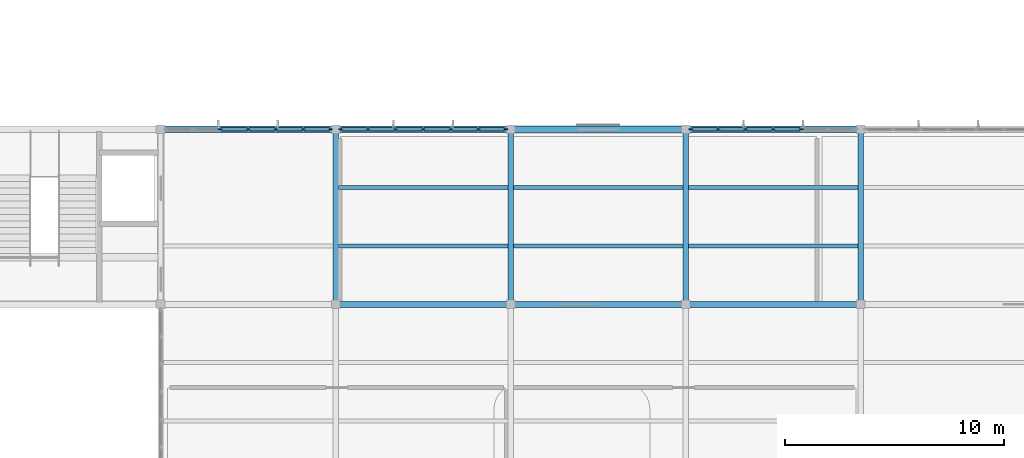
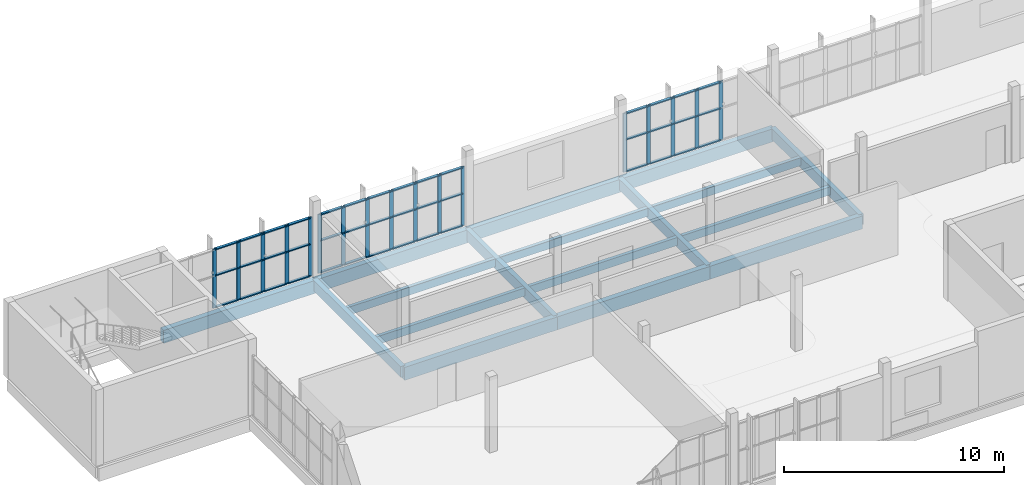
# One storey, part 12 of 45: 59 members, 17 beams, 3 elements without a shape of their own.
"""IFC4 building model written with IfcOpenShell, lengths in metres."""

from ifc_helpers import new_model, si_unit, direction, frame, origin, origin_2d, place, context, subcontext, project, spatial, rectangle, extrude, material, layer, layer_set, material_profile, profile_set, type_object, element, aggregate, save


model = new_model("IFC4")

# Units and contexts
model_context = context("Model", 3, precision=1e-05, world=origin(), true_north=direction((0.0, 1.0)))
body_context = subcontext(model_context, "Body", "Model", "MODEL_VIEW")
ifc_project = project(units=[si_unit("LENGTHUNIT", "METRE"), si_unit("AREAUNIT", "SQUARE_METRE"), si_unit("VOLUMEUNIT", "CUBIC_METRE"), si_unit("PLANEANGLEUNIT", "RADIAN"), si_unit("MASSUNIT", "GRAM", prefix="KILO")], contexts=[model_context])

# Site, building, storey
site_placement = place(None, origin())
site = spatial("IfcSite", under=ifc_project, at=site_placement, CompositionType="ELEMENT")
building_placement = place(site_placement, origin())
building = spatial("IfcBuilding", under=site, at=building_placement, Name="Solvane Community Centre", CompositionType="ELEMENT")
storey_placement = place(building_placement, frame((0.0, 0.0, 13.800048828125)))
storey = spatial("IfcBuildingStorey", under=building, at=storey_placement, Name="L03", CompositionType="ELEMENT", Elevation=13.800048828125)

# Curtain wall, members
ifc_material_1 = material(Name="Anodised bronze aluminium AW-6063 T6", Category="aluminium")
ifc_layer = layer(ifc_material_1, 0.199951171875)
ifc_layer_set = layer_set([ifc_layer], Name="Anodised bronze aluminium AW-6063 T6")
curtain_wall_type = type_object("IfcCurtainWallType", Name="Courtyard Cloister Curtain Wall [76x33dm]", PredefinedType="NOTDEFINED", material=ifc_layer_set)
curtain_wall_1_placement = place(storey_placement, origin())
curtain_wall_1 = element("IfcCurtainWall", 1, at=curtain_wall_1_placement, inside=storey, type_object=curtain_wall_type, Name="Curtain Wall CW-L03-682_300-221", PredefinedType="NOTDEFINED")
ifc_material_profile_1 = material_profile(ifc_material_1, rectangle(XDim=0.06005859375, YDim=0.199951171875, at=origin_2d()), Name="CW-M 60x200")
ifc_profile_set_1 = profile_set([ifc_material_profile_1], Name="Anodised bronze aluminium AW-6063 T6")
member_type_1 = type_object("IfcMemberType", Name="Cloister Mullion 60x200", PredefinedType="MULLION", material=ifc_profile_set_1)
member_1_placement = place(storey_placement, frame((70.73828125, 30.0, 0.0), z_axis=(0.0, 0.0, 1.0), x_axis=(0.0, 1.0, 0.0)))
member_1 = element("IfcMember", 2, at=member_1_placement, type_object=member_type_1, Name="CW03-76x33 mullion 3", PredefinedType="MULLION", context=body_context, shape_type="SweptSolid", body=[
    extrude(rectangle(XDim=0.06005859375, YDim=0.199951171875, at=origin_2d()), origin(), (0.0, 0.0, 1.0), 3.264892578125),
])
member_2_placement = place(storey_placement, frame((72.0, 30.0, 0.0), z_axis=(0.0, 0.0, 1.0), x_axis=(0.0, 1.0, 0.0)))
member_2 = element("IfcMember", 3, at=member_2_placement, type_object=member_type_1, Name="CW03-76x33 mullion 4", PredefinedType="MULLION", context=body_context, shape_type="SweptSolid", body=[
    extrude(rectangle(XDim=0.06005859375, YDim=0.199951171875, at=origin_2d()), origin(), (0.0, 0.0, 1.0), 3.264892578125),
])
member_3_placement = place(storey_placement, frame((73.26171875, 30.0, 0.0), z_axis=(0.0, 0.0, 1.0), x_axis=(0.0, 1.0, 0.0)))
member_3 = element("IfcMember", 4, at=member_3_placement, type_object=member_type_1, Name="CW03-76x33 mullion 5", PredefinedType="MULLION", context=body_context, shape_type="SweptSolid", body=[
    extrude(rectangle(XDim=0.06005859375, YDim=0.199951171875, at=origin_2d()), origin(), (0.0, 0.0, 1.0), 3.264892578125),
])
member_4_placement = place(storey_placement, frame((74.5234375, 30.0, 0.0), z_axis=(0.0, 0.0, 1.0), x_axis=(0.0, 1.0, 0.0)))
member_4 = element("IfcMember", 5, at=member_4_placement, type_object=member_type_1, Name="CW03-76x33 mullion 6", PredefinedType="MULLION", context=body_context, shape_type="SweptSolid", body=[
    extrude(rectangle(XDim=0.06005859375, YDim=0.199951171875, at=origin_2d()), origin(), (0.0, 0.0, 1.0), 3.264892578125),
])
member_5_placement = place(storey_placement, frame((75.7548828125, 30.0, 0.0), z_axis=(0.0, 0.0, 1.0), x_axis=(0.0, 1.0, 0.0)))
member_5 = element("IfcMember", 6, at=member_5_placement, type_object=member_type_1, Name="CW03-76x33 mullion 7", PredefinedType="MULLION", context=body_context, shape_type="SweptSolid", body=[
    extrude(rectangle(XDim=0.06005859375, YDim=0.199951171875, at=origin_2d()), origin(), (0.0, 0.0, 1.0), 3.264892578125),
])

curtain_wall_2_placement = place(storey_placement, origin())
curtain_wall_2 = element("IfcCurtainWall", 7, at=curtain_wall_2_placement, inside=storey, type_object=curtain_wall_type, Name="Curtain Wall CW-L03-762_300-222", PredefinedType="NOTDEFINED")
member_6_placement = place(storey_placement, frame((76.2451171875, 30.0, 0.0), z_axis=(0.0, 0.0, 1.0), x_axis=(0.0, 1.0, 0.0)))
member_6 = element("IfcMember", 8, at=member_6_placement, type_object=member_type_1, Name="CW03-76x33 mullion 1", PredefinedType="MULLION", context=body_context, shape_type="SweptSolid", body=[
    extrude(rectangle(XDim=0.06005859375, YDim=0.199951171875, at=origin_2d()), origin(), (0.0, 0.0, 1.0), 3.264892578125),
])
member_7_placement = place(storey_placement, frame((77.4765625, 30.0, 0.0), z_axis=(0.0, 0.0, 1.0), x_axis=(0.0, 1.0, 0.0)))
member_7 = element("IfcMember", 9, at=member_7_placement, type_object=member_type_1, Name="CW03-76x33 mullion 2", PredefinedType="MULLION", context=body_context, shape_type="SweptSolid", body=[
    extrude(rectangle(XDim=0.06005859375, YDim=0.199951171875, at=origin_2d()), origin(), (0.0, 0.0, 1.0), 3.264892578125),
])
member_8_placement = place(storey_placement, frame((78.73828125, 30.0, 0.0), z_axis=(0.0, 0.0, 1.0), x_axis=(0.0, 1.0, 0.0)))
member_8 = element("IfcMember", 10, at=member_8_placement, type_object=member_type_1, Name="CW03-76x33 mullion 3", PredefinedType="MULLION", context=body_context, shape_type="SweptSolid", body=[
    extrude(rectangle(XDim=0.06005859375, YDim=0.199951171875, at=origin_2d()), origin(), (0.0, 0.0, 1.0), 3.264892578125),
])
member_9_placement = place(storey_placement, frame((80.0, 30.0, 0.0), z_axis=(0.0, 0.0, 1.0), x_axis=(0.0, 1.0, 0.0)))
member_9 = element("IfcMember", 11, at=member_9_placement, type_object=member_type_1, Name="CW03-76x33 mullion 4", PredefinedType="MULLION", context=body_context, shape_type="SweptSolid", body=[
    extrude(rectangle(XDim=0.06005859375, YDim=0.199951171875, at=origin_2d()), origin(), (0.0, 0.0, 1.0), 3.264892578125),
])
member_10_placement = place(storey_placement, frame((81.26171875, 30.0, 0.0), z_axis=(0.0, 0.0, 1.0), x_axis=(0.0, 1.0, 0.0)))
member_10 = element("IfcMember", 12, at=member_10_placement, type_object=member_type_1, Name="CW03-76x33 mullion 5", PredefinedType="MULLION", context=body_context, shape_type="SweptSolid", body=[
    extrude(rectangle(XDim=0.06005859375, YDim=0.199951171875, at=origin_2d()), origin(), (0.0, 0.0, 1.0), 3.264892578125),
])
member_11_placement = place(storey_placement, frame((82.5234375, 30.0, 0.0), z_axis=(0.0, 0.0, 1.0), x_axis=(0.0, 1.0, 0.0)))
member_11 = element("IfcMember", 13, at=member_11_placement, type_object=member_type_1, Name="CW03-76x33 mullion 6", PredefinedType="MULLION", context=body_context, shape_type="SweptSolid", body=[
    extrude(rectangle(XDim=0.06005859375, YDim=0.199951171875, at=origin_2d()), origin(), (0.0, 0.0, 1.0), 3.264892578125),
])
member_12_placement = place(storey_placement, frame((83.7548828125, 30.0, 0.0), z_axis=(0.0, 0.0, 1.0), x_axis=(0.0, 1.0, 0.0)))
member_12 = element("IfcMember", 14, at=member_12_placement, type_object=member_type_1, Name="CW03-76x33 mullion 7", PredefinedType="MULLION", context=body_context, shape_type="SweptSolid", body=[
    extrude(rectangle(XDim=0.06005859375, YDim=0.199951171875, at=origin_2d()), origin(), (0.0, 0.0, 1.0), 3.264892578125),
])

curtain_wall_3_placement = place(storey_placement, origin())
curtain_wall_3 = element("IfcCurtainWall", 15, at=curtain_wall_3_placement, inside=storey, type_object=curtain_wall_type, Name="Curtain Wall CW-L03-922_300-223", PredefinedType="NOTDEFINED")
member_13_placement = place(storey_placement, frame((92.2451171875, 30.0, 0.0), z_axis=(0.0, 0.0, 1.0), x_axis=(0.0, 1.0, 0.0)))
member_13 = element("IfcMember", 16, at=member_13_placement, type_object=member_type_1, Name="CW03-76x33 mullion 1", PredefinedType="MULLION", context=body_context, shape_type="SweptSolid", body=[
    extrude(rectangle(XDim=0.06005859375, YDim=0.199951171875, at=origin_2d()), origin(), (0.0, 0.0, 1.0), 3.264892578125),
])
member_14_placement = place(storey_placement, frame((93.4765625, 30.0, 0.0), z_axis=(0.0, 0.0, 1.0), x_axis=(0.0, 1.0, 0.0)))
member_14 = element("IfcMember", 17, at=member_14_placement, type_object=member_type_1, Name="CW03-76x33 mullion 2", PredefinedType="MULLION", context=body_context, shape_type="SweptSolid", body=[
    extrude(rectangle(XDim=0.06005859375, YDim=0.199951171875, at=origin_2d()), origin(), (0.0, 0.0, 1.0), 3.264892578125),
])
member_15_placement = place(storey_placement, frame((94.73828125, 30.0, 0.0), z_axis=(0.0, 0.0, 1.0), x_axis=(0.0, 1.0, 0.0)))
member_15 = element("IfcMember", 18, at=member_15_placement, type_object=member_type_1, Name="CW03-76x33 mullion 3", PredefinedType="MULLION", context=body_context, shape_type="SweptSolid", body=[
    extrude(rectangle(XDim=0.06005859375, YDim=0.199951171875, at=origin_2d()), origin(), (0.0, 0.0, 1.0), 3.264892578125),
])
member_16_placement = place(storey_placement, frame((96.0, 30.0, 0.0), z_axis=(0.0, 0.0, 1.0), x_axis=(0.0, 1.0, 0.0)))
member_16 = element("IfcMember", 19, at=member_16_placement, type_object=member_type_1, Name="CW03-76x33 mullion 4", PredefinedType="MULLION", context=body_context, shape_type="SweptSolid", body=[
    extrude(rectangle(XDim=0.06005859375, YDim=0.199951171875, at=origin_2d()), origin(), (0.0, 0.0, 1.0), 3.264892578125),
])
member_17_placement = place(storey_placement, frame((97.26171875, 30.0, 0.0), z_axis=(0.0, 0.0, 1.0), x_axis=(0.0, 1.0, 0.0)))
member_17 = element("IfcMember", 20, at=member_17_placement, type_object=member_type_1, Name="CW03-76x33 mullion 5", PredefinedType="MULLION", context=body_context, shape_type="SweptSolid", body=[
    extrude(rectangle(XDim=0.06005859375, YDim=0.199951171875, at=origin_2d()), origin(), (0.0, 0.0, 1.0), 3.264892578125),
])

# Member
ifc_material_profile_2 = material_profile(ifc_material_1, rectangle(XDim=0.139892578125, YDim=0.06005859375, at=origin_2d()), Name="CW-T 60x140")
ifc_profile_set_2 = profile_set([ifc_material_profile_2], Name="Anodised bronze aluminium AW-6063 T6")
member_type_2 = type_object("IfcMemberType", Name="Cloister Transom 60x140", PredefinedType="USERDEFINED", material=ifc_profile_set_2)
member_18_placement = place(storey_placement, frame((70.768310546875, 30.0, 0.030029296875), z_axis=(1.0, 0.0, 0.0), x_axis=(0.0, 1.0, 0.0)))
member_18 = element("IfcMember", 21, at=member_18_placement, type_object=member_type_2, Name="CW03-76x33 transom 3.1", ObjectType="TRANSOM", PredefinedType="USERDEFINED", context=body_context, shape_type="SweptSolid", body=[
    extrude(rectangle(XDim=0.139892578125, YDim=0.06005859375, at=origin_2d()), origin(), (0.0, 0.0, 1.0), 1.20166015625),
])

member_19_placement = place(storey_placement, frame((70.768310546875, 30.0, 1.7958984375), z_axis=(1.0, 0.0, 0.0), x_axis=(0.0, 1.0, 0.0)))
member_19 = element("IfcMember", 22, at=member_19_placement, type_object=member_type_2, Name="CW03-76x33 transom 3.2", ObjectType="TRANSOM", PredefinedType="USERDEFINED", context=body_context, shape_type="SweptSolid", body=[
    extrude(rectangle(XDim=0.139892578125, YDim=0.06005859375, at=origin_2d()), origin(), (0.0, 0.0, 1.0), 1.20166015625),
])

member_20_placement = place(storey_placement, frame((70.768310546875, 30.0, 3.23486328125), z_axis=(1.0, 0.0, 0.0), x_axis=(0.0, 1.0, 0.0)))
member_20 = element("IfcMember", 23, at=member_20_placement, type_object=member_type_2, Name="CW03-76x33 transom 3.3", ObjectType="TRANSOM", PredefinedType="USERDEFINED", context=body_context, shape_type="SweptSolid", body=[
    extrude(rectangle(XDim=0.139892578125, YDim=0.06005859375, at=origin_2d()), origin(), (0.0, 0.0, 1.0), 1.20166015625),
])

member_21_placement = place(storey_placement, frame((72.030029296875, 30.0, 0.030029296875), z_axis=(1.0, 0.0, 0.0), x_axis=(0.0, 1.0, 0.0)))
member_21 = element("IfcMember", 24, at=member_21_placement, type_object=member_type_2, Name="CW03-76x33 transom 4.1", ObjectType="TRANSOM", PredefinedType="USERDEFINED", context=body_context, shape_type="SweptSolid", body=[
    extrude(rectangle(XDim=0.139892578125, YDim=0.06005859375, at=origin_2d()), origin(), (0.0, 0.0, 1.0), 1.20166015625),
])

member_22_placement = place(storey_placement, frame((72.030029296875, 30.0, 1.7958984375), z_axis=(1.0, 0.0, 0.0), x_axis=(0.0, 1.0, 0.0)))
member_22 = element("IfcMember", 25, at=member_22_placement, type_object=member_type_2, Name="CW03-76x33 transom 4.2", ObjectType="TRANSOM", PredefinedType="USERDEFINED", context=body_context, shape_type="SweptSolid", body=[
    extrude(rectangle(XDim=0.139892578125, YDim=0.06005859375, at=origin_2d()), origin(), (0.0, 0.0, 1.0), 1.20166015625),
])

member_23_placement = place(storey_placement, frame((72.030029296875, 30.0, 3.23486328125), z_axis=(1.0, 0.0, 0.0), x_axis=(0.0, 1.0, 0.0)))
member_23 = element("IfcMember", 26, at=member_23_placement, type_object=member_type_2, Name="CW03-76x33 transom 4.3", ObjectType="TRANSOM", PredefinedType="USERDEFINED", context=body_context, shape_type="SweptSolid", body=[
    extrude(rectangle(XDim=0.139892578125, YDim=0.06005859375, at=origin_2d()), origin(), (0.0, 0.0, 1.0), 1.20166015625),
])

member_24_placement = place(storey_placement, frame((73.291748046875, 30.0, 0.030029296875), z_axis=(1.0, 0.0, 0.0), x_axis=(0.0, 1.0, 0.0)))
member_24 = element("IfcMember", 27, at=member_24_placement, type_object=member_type_2, Name="CW03-76x33 transom 5.1", ObjectType="TRANSOM", PredefinedType="USERDEFINED", context=body_context, shape_type="SweptSolid", body=[
    extrude(rectangle(XDim=0.139892578125, YDim=0.06005859375, at=origin_2d()), origin(), (0.0, 0.0, 1.0), 1.20166015625),
])

member_25_placement = place(storey_placement, frame((73.291748046875, 30.0, 1.7958984375), z_axis=(1.0, 0.0, 0.0), x_axis=(0.0, 1.0, 0.0)))
member_25 = element("IfcMember", 28, at=member_25_placement, type_object=member_type_2, Name="CW03-76x33 transom 5.2", ObjectType="TRANSOM", PredefinedType="USERDEFINED", context=body_context, shape_type="SweptSolid", body=[
    extrude(rectangle(XDim=0.139892578125, YDim=0.06005859375, at=origin_2d()), origin(), (0.0, 0.0, 1.0), 1.20166015625),
])

member_26_placement = place(storey_placement, frame((73.291748046875, 30.0, 3.23486328125), z_axis=(1.0, 0.0, 0.0), x_axis=(0.0, 1.0, 0.0)))
member_26 = element("IfcMember", 29, at=member_26_placement, type_object=member_type_2, Name="CW03-76x33 transom 5.3", ObjectType="TRANSOM", PredefinedType="USERDEFINED", context=body_context, shape_type="SweptSolid", body=[
    extrude(rectangle(XDim=0.139892578125, YDim=0.06005859375, at=origin_2d()), origin(), (0.0, 0.0, 1.0), 1.20166015625),
])

member_27_placement = place(storey_placement, frame((74.55322265625, 30.0, 0.030029296875), z_axis=(1.0, 0.0, 0.0), x_axis=(0.0, 1.0, 0.0)))
member_27 = element("IfcMember", 30, at=member_27_placement, type_object=member_type_2, Name="CW03-76x33 transom 6.1", ObjectType="TRANSOM", PredefinedType="USERDEFINED", context=body_context, shape_type="SweptSolid", body=[
    extrude(rectangle(XDim=0.139892578125, YDim=0.06005859375, at=origin_2d()), origin(), (0.0, 0.0, 1.0), 1.171875),
])

member_28_placement = place(storey_placement, frame((74.55322265625, 30.0, 1.7958984375), z_axis=(1.0, 0.0, 0.0), x_axis=(0.0, 1.0, 0.0)))
member_28 = element("IfcMember", 31, at=member_28_placement, type_object=member_type_2, Name="CW03-76x33 transom 6.2", ObjectType="TRANSOM", PredefinedType="USERDEFINED", context=body_context, shape_type="SweptSolid", body=[
    extrude(rectangle(XDim=0.139892578125, YDim=0.06005859375, at=origin_2d()), origin(), (0.0, 0.0, 1.0), 1.171875),
])

member_29_placement = place(storey_placement, frame((74.55322265625, 30.0, 3.23486328125), z_axis=(1.0, 0.0, 0.0), x_axis=(0.0, 1.0, 0.0)))
member_29 = element("IfcMember", 32, at=member_29_placement, type_object=member_type_2, Name="CW03-76x33 transom 6.3", ObjectType="TRANSOM", PredefinedType="USERDEFINED", context=body_context, shape_type="SweptSolid", body=[
    extrude(rectangle(XDim=0.139892578125, YDim=0.06005859375, at=origin_2d()), origin(), (0.0, 0.0, 1.0), 1.171875),
])

aggregate(curtain_wall_1, [member_1, member_2, member_3, member_4, member_5, member_18, member_19, member_20, member_21, member_22, member_23, member_24, member_25, member_26, member_27, member_28, member_29])

member_30_placement = place(storey_placement, frame((76.27490234375, 30.0, 0.030029296875), z_axis=(1.0, 0.0, 0.0), x_axis=(0.0, 1.0, 0.0)))
member_30 = element("IfcMember", 33, at=member_30_placement, type_object=member_type_2, Name="CW03-76x33 transom 1.1", ObjectType="TRANSOM", PredefinedType="USERDEFINED", context=body_context, shape_type="SweptSolid", body=[
    extrude(rectangle(XDim=0.139892578125, YDim=0.06005859375, at=origin_2d()), origin(), (0.0, 0.0, 1.0), 1.171875),
])

member_31_placement = place(storey_placement, frame((76.27490234375, 30.0, 1.7958984375), z_axis=(1.0, 0.0, 0.0), x_axis=(0.0, 1.0, 0.0)))
member_31 = element("IfcMember", 34, at=member_31_placement, type_object=member_type_2, Name="CW03-76x33 transom 1.2", ObjectType="TRANSOM", PredefinedType="USERDEFINED", context=body_context, shape_type="SweptSolid", body=[
    extrude(rectangle(XDim=0.139892578125, YDim=0.06005859375, at=origin_2d()), origin(), (0.0, 0.0, 1.0), 1.171875),
])

member_32_placement = place(storey_placement, frame((76.27490234375, 30.0, 3.23486328125), z_axis=(1.0, 0.0, 0.0), x_axis=(0.0, 1.0, 0.0)))
member_32 = element("IfcMember", 35, at=member_32_placement, type_object=member_type_2, Name="CW03-76x33 transom 1.3", ObjectType="TRANSOM", PredefinedType="USERDEFINED", context=body_context, shape_type="SweptSolid", body=[
    extrude(rectangle(XDim=0.139892578125, YDim=0.06005859375, at=origin_2d()), origin(), (0.0, 0.0, 1.0), 1.171875),
])

member_33_placement = place(storey_placement, frame((77.506591796875, 30.0, 0.030029296875), z_axis=(1.0, 0.0, 0.0), x_axis=(0.0, 1.0, 0.0)))
member_33 = element("IfcMember", 36, at=member_33_placement, type_object=member_type_2, Name="CW03-76x33 transom 2.1", ObjectType="TRANSOM", PredefinedType="USERDEFINED", context=body_context, shape_type="SweptSolid", body=[
    extrude(rectangle(XDim=0.139892578125, YDim=0.06005859375, at=origin_2d()), origin(), (0.0, 0.0, 1.0), 1.20166015625),
])

member_34_placement = place(storey_placement, frame((77.506591796875, 30.0, 1.7958984375), z_axis=(1.0, 0.0, 0.0), x_axis=(0.0, 1.0, 0.0)))
member_34 = element("IfcMember", 37, at=member_34_placement, type_object=member_type_2, Name="CW03-76x33 transom 2.2", ObjectType="TRANSOM", PredefinedType="USERDEFINED", context=body_context, shape_type="SweptSolid", body=[
    extrude(rectangle(XDim=0.139892578125, YDim=0.06005859375, at=origin_2d()), origin(), (0.0, 0.0, 1.0), 1.20166015625),
])

member_35_placement = place(storey_placement, frame((77.506591796875, 30.0, 3.23486328125), z_axis=(1.0, 0.0, 0.0), x_axis=(0.0, 1.0, 0.0)))
member_35 = element("IfcMember", 38, at=member_35_placement, type_object=member_type_2, Name="CW03-76x33 transom 2.3", ObjectType="TRANSOM", PredefinedType="USERDEFINED", context=body_context, shape_type="SweptSolid", body=[
    extrude(rectangle(XDim=0.139892578125, YDim=0.06005859375, at=origin_2d()), origin(), (0.0, 0.0, 1.0), 1.20166015625),
])

member_36_placement = place(storey_placement, frame((78.768310546875, 30.0, 0.030029296875), z_axis=(1.0, 0.0, 0.0), x_axis=(0.0, 1.0, 0.0)))
member_36 = element("IfcMember", 39, at=member_36_placement, type_object=member_type_2, Name="CW03-76x33 transom 3.1", ObjectType="TRANSOM", PredefinedType="USERDEFINED", context=body_context, shape_type="SweptSolid", body=[
    extrude(rectangle(XDim=0.139892578125, YDim=0.06005859375, at=origin_2d()), origin(), (0.0, 0.0, 1.0), 1.20166015625),
])

member_37_placement = place(storey_placement, frame((78.768310546875, 30.0, 1.7958984375), z_axis=(1.0, 0.0, 0.0), x_axis=(0.0, 1.0, 0.0)))
member_37 = element("IfcMember", 40, at=member_37_placement, type_object=member_type_2, Name="CW03-76x33 transom 3.2", ObjectType="TRANSOM", PredefinedType="USERDEFINED", context=body_context, shape_type="SweptSolid", body=[
    extrude(rectangle(XDim=0.139892578125, YDim=0.06005859375, at=origin_2d()), origin(), (0.0, 0.0, 1.0), 1.20166015625),
])

member_38_placement = place(storey_placement, frame((78.768310546875, 30.0, 3.23486328125), z_axis=(1.0, 0.0, 0.0), x_axis=(0.0, 1.0, 0.0)))
member_38 = element("IfcMember", 41, at=member_38_placement, type_object=member_type_2, Name="CW03-76x33 transom 3.3", ObjectType="TRANSOM", PredefinedType="USERDEFINED", context=body_context, shape_type="SweptSolid", body=[
    extrude(rectangle(XDim=0.139892578125, YDim=0.06005859375, at=origin_2d()), origin(), (0.0, 0.0, 1.0), 1.20166015625),
])

member_39_placement = place(storey_placement, frame((80.030029296875, 30.0, 0.030029296875), z_axis=(1.0, 0.0, 0.0), x_axis=(0.0, 1.0, 0.0)))
member_39 = element("IfcMember", 42, at=member_39_placement, type_object=member_type_2, Name="CW03-76x33 transom 4.1", ObjectType="TRANSOM", PredefinedType="USERDEFINED", context=body_context, shape_type="SweptSolid", body=[
    extrude(rectangle(XDim=0.139892578125, YDim=0.06005859375, at=origin_2d()), origin(), (0.0, 0.0, 1.0), 1.20166015625),
])

member_40_placement = place(storey_placement, frame((80.030029296875, 30.0, 1.7958984375), z_axis=(1.0, 0.0, 0.0), x_axis=(0.0, 1.0, 0.0)))
member_40 = element("IfcMember", 43, at=member_40_placement, type_object=member_type_2, Name="CW03-76x33 transom 4.2", ObjectType="TRANSOM", PredefinedType="USERDEFINED", context=body_context, shape_type="SweptSolid", body=[
    extrude(rectangle(XDim=0.139892578125, YDim=0.06005859375, at=origin_2d()), origin(), (0.0, 0.0, 1.0), 1.20166015625),
])

member_41_placement = place(storey_placement, frame((80.030029296875, 30.0, 3.23486328125), z_axis=(1.0, 0.0, 0.0), x_axis=(0.0, 1.0, 0.0)))
member_41 = element("IfcMember", 44, at=member_41_placement, type_object=member_type_2, Name="CW03-76x33 transom 4.3", ObjectType="TRANSOM", PredefinedType="USERDEFINED", context=body_context, shape_type="SweptSolid", body=[
    extrude(rectangle(XDim=0.139892578125, YDim=0.06005859375, at=origin_2d()), origin(), (0.0, 0.0, 1.0), 1.20166015625),
])

member_42_placement = place(storey_placement, frame((81.291748046875, 30.0, 0.030029296875), z_axis=(1.0, 0.0, 0.0), x_axis=(0.0, 1.0, 0.0)))
member_42 = element("IfcMember", 45, at=member_42_placement, type_object=member_type_2, Name="CW03-76x33 transom 5.1", ObjectType="TRANSOM", PredefinedType="USERDEFINED", context=body_context, shape_type="SweptSolid", body=[
    extrude(rectangle(XDim=0.139892578125, YDim=0.06005859375, at=origin_2d()), origin(), (0.0, 0.0, 1.0), 1.20166015625),
])

member_43_placement = place(storey_placement, frame((81.291748046875, 30.0, 1.7958984375), z_axis=(1.0, 0.0, 0.0), x_axis=(0.0, 1.0, 0.0)))
member_43 = element("IfcMember", 46, at=member_43_placement, type_object=member_type_2, Name="CW03-76x33 transom 5.2", ObjectType="TRANSOM", PredefinedType="USERDEFINED", context=body_context, shape_type="SweptSolid", body=[
    extrude(rectangle(XDim=0.139892578125, YDim=0.06005859375, at=origin_2d()), origin(), (0.0, 0.0, 1.0), 1.20166015625),
])

member_44_placement = place(storey_placement, frame((81.291748046875, 30.0, 3.23486328125), z_axis=(1.0, 0.0, 0.0), x_axis=(0.0, 1.0, 0.0)))
member_44 = element("IfcMember", 47, at=member_44_placement, type_object=member_type_2, Name="CW03-76x33 transom 5.3", ObjectType="TRANSOM", PredefinedType="USERDEFINED", context=body_context, shape_type="SweptSolid", body=[
    extrude(rectangle(XDim=0.139892578125, YDim=0.06005859375, at=origin_2d()), origin(), (0.0, 0.0, 1.0), 1.20166015625),
])

member_45_placement = place(storey_placement, frame((82.55322265625, 30.0, 0.030029296875), z_axis=(1.0, 0.0, 0.0), x_axis=(0.0, 1.0, 0.0)))
member_45 = element("IfcMember", 48, at=member_45_placement, type_object=member_type_2, Name="CW03-76x33 transom 6.1", ObjectType="TRANSOM", PredefinedType="USERDEFINED", context=body_context, shape_type="SweptSolid", body=[
    extrude(rectangle(XDim=0.139892578125, YDim=0.06005859375, at=origin_2d()), origin(), (0.0, 0.0, 1.0), 1.171875),
])

member_46_placement = place(storey_placement, frame((82.55322265625, 30.0, 1.7958984375), z_axis=(1.0, 0.0, 0.0), x_axis=(0.0, 1.0, 0.0)))
member_46 = element("IfcMember", 49, at=member_46_placement, type_object=member_type_2, Name="CW03-76x33 transom 6.2", ObjectType="TRANSOM", PredefinedType="USERDEFINED", context=body_context, shape_type="SweptSolid", body=[
    extrude(rectangle(XDim=0.139892578125, YDim=0.06005859375, at=origin_2d()), origin(), (0.0, 0.0, 1.0), 1.171875),
])

member_47_placement = place(storey_placement, frame((82.55322265625, 30.0, 3.23486328125), z_axis=(1.0, 0.0, 0.0), x_axis=(0.0, 1.0, 0.0)))
member_47 = element("IfcMember", 50, at=member_47_placement, type_object=member_type_2, Name="CW03-76x33 transom 6.3", ObjectType="TRANSOM", PredefinedType="USERDEFINED", context=body_context, shape_type="SweptSolid", body=[
    extrude(rectangle(XDim=0.139892578125, YDim=0.06005859375, at=origin_2d()), origin(), (0.0, 0.0, 1.0), 1.171875),
])

aggregate(curtain_wall_2, [member_6, member_7, member_8, member_9, member_10, member_11, member_12, member_30, member_31, member_32, member_33, member_34, member_35, member_36, member_37, member_38, member_39, member_40, member_41, member_42, member_43, member_44, member_45, member_46, member_47])

member_48_placement = place(storey_placement, frame((92.27490234375, 30.0, 0.030029296875), z_axis=(1.0, 0.0, 0.0), x_axis=(0.0, 1.0, 0.0)))
member_48 = element("IfcMember", 51, at=member_48_placement, type_object=member_type_2, Name="CW03-76x33 transom 1.1", ObjectType="TRANSOM", PredefinedType="USERDEFINED", context=body_context, shape_type="SweptSolid", body=[
    extrude(rectangle(XDim=0.139892578125, YDim=0.06005859375, at=origin_2d()), origin(), (0.0, 0.0, 1.0), 1.171875),
])

member_49_placement = place(storey_placement, frame((92.27490234375, 30.0, 1.7958984375), z_axis=(1.0, 0.0, 0.0), x_axis=(0.0, 1.0, 0.0)))
member_49 = element("IfcMember", 52, at=member_49_placement, type_object=member_type_2, Name="CW03-76x33 transom 1.2", ObjectType="TRANSOM", PredefinedType="USERDEFINED", context=body_context, shape_type="SweptSolid", body=[
    extrude(rectangle(XDim=0.139892578125, YDim=0.06005859375, at=origin_2d()), origin(), (0.0, 0.0, 1.0), 1.171875),
])

member_50_placement = place(storey_placement, frame((92.27490234375, 30.0, 3.23486328125), z_axis=(1.0, 0.0, 0.0), x_axis=(0.0, 1.0, 0.0)))
member_50 = element("IfcMember", 53, at=member_50_placement, type_object=member_type_2, Name="CW03-76x33 transom 1.3", ObjectType="TRANSOM", PredefinedType="USERDEFINED", context=body_context, shape_type="SweptSolid", body=[
    extrude(rectangle(XDim=0.139892578125, YDim=0.06005859375, at=origin_2d()), origin(), (0.0, 0.0, 1.0), 1.171875),
])

member_51_placement = place(storey_placement, frame((93.506591796875, 30.0, 0.030029296875), z_axis=(1.0, 0.0, 0.0), x_axis=(0.0, 1.0, 0.0)))
member_51 = element("IfcMember", 54, at=member_51_placement, type_object=member_type_2, Name="CW03-76x33 transom 2.1", ObjectType="TRANSOM", PredefinedType="USERDEFINED", context=body_context, shape_type="SweptSolid", body=[
    extrude(rectangle(XDim=0.139892578125, YDim=0.06005859375, at=origin_2d()), origin(), (0.0, 0.0, 1.0), 1.20166015625),
])

member_52_placement = place(storey_placement, frame((93.506591796875, 30.0, 1.7958984375), z_axis=(1.0, 0.0, 0.0), x_axis=(0.0, 1.0, 0.0)))
member_52 = element("IfcMember", 55, at=member_52_placement, type_object=member_type_2, Name="CW03-76x33 transom 2.2", ObjectType="TRANSOM", PredefinedType="USERDEFINED", context=body_context, shape_type="SweptSolid", body=[
    extrude(rectangle(XDim=0.139892578125, YDim=0.06005859375, at=origin_2d()), origin(), (0.0, 0.0, 1.0), 1.20166015625),
])

member_53_placement = place(storey_placement, frame((93.506591796875, 30.0, 3.23486328125), z_axis=(1.0, 0.0, 0.0), x_axis=(0.0, 1.0, 0.0)))
member_53 = element("IfcMember", 56, at=member_53_placement, type_object=member_type_2, Name="CW03-76x33 transom 2.3", ObjectType="TRANSOM", PredefinedType="USERDEFINED", context=body_context, shape_type="SweptSolid", body=[
    extrude(rectangle(XDim=0.139892578125, YDim=0.06005859375, at=origin_2d()), origin(), (0.0, 0.0, 1.0), 1.20166015625),
])

member_54_placement = place(storey_placement, frame((94.768310546875, 30.0, 0.030029296875), z_axis=(1.0, 0.0, 0.0), x_axis=(0.0, 1.0, 0.0)))
member_54 = element("IfcMember", 57, at=member_54_placement, type_object=member_type_2, Name="CW03-76x33 transom 3.1", ObjectType="TRANSOM", PredefinedType="USERDEFINED", context=body_context, shape_type="SweptSolid", body=[
    extrude(rectangle(XDim=0.139892578125, YDim=0.06005859375, at=origin_2d()), origin(), (0.0, 0.0, 1.0), 1.20166015625),
])

member_55_placement = place(storey_placement, frame((94.768310546875, 30.0, 1.7958984375), z_axis=(1.0, 0.0, 0.0), x_axis=(0.0, 1.0, 0.0)))
member_55 = element("IfcMember", 58, at=member_55_placement, type_object=member_type_2, Name="CW03-76x33 transom 3.2", ObjectType="TRANSOM", PredefinedType="USERDEFINED", context=body_context, shape_type="SweptSolid", body=[
    extrude(rectangle(XDim=0.139892578125, YDim=0.06005859375, at=origin_2d()), origin(), (0.0, 0.0, 1.0), 1.20166015625),
])

member_56_placement = place(storey_placement, frame((94.768310546875, 30.0, 3.23486328125), z_axis=(1.0, 0.0, 0.0), x_axis=(0.0, 1.0, 0.0)))
member_56 = element("IfcMember", 59, at=member_56_placement, type_object=member_type_2, Name="CW03-76x33 transom 3.3", ObjectType="TRANSOM", PredefinedType="USERDEFINED", context=body_context, shape_type="SweptSolid", body=[
    extrude(rectangle(XDim=0.139892578125, YDim=0.06005859375, at=origin_2d()), origin(), (0.0, 0.0, 1.0), 1.20166015625),
])

member_57_placement = place(storey_placement, frame((96.030029296875, 30.0, 0.030029296875), z_axis=(1.0, 0.0, 0.0), x_axis=(0.0, 1.0, 0.0)))
member_57 = element("IfcMember", 60, at=member_57_placement, type_object=member_type_2, Name="CW03-76x33 transom 4.1", ObjectType="TRANSOM", PredefinedType="USERDEFINED", context=body_context, shape_type="SweptSolid", body=[
    extrude(rectangle(XDim=0.139892578125, YDim=0.06005859375, at=origin_2d()), origin(), (0.0, 0.0, 1.0), 1.20166015625),
])

member_58_placement = place(storey_placement, frame((96.030029296875, 30.0, 1.7958984375), z_axis=(1.0, 0.0, 0.0), x_axis=(0.0, 1.0, 0.0)))
member_58 = element("IfcMember", 61, at=member_58_placement, type_object=member_type_2, Name="CW03-76x33 transom 4.2", ObjectType="TRANSOM", PredefinedType="USERDEFINED", context=body_context, shape_type="SweptSolid", body=[
    extrude(rectangle(XDim=0.139892578125, YDim=0.06005859375, at=origin_2d()), origin(), (0.0, 0.0, 1.0), 1.20166015625),
])

member_59_placement = place(storey_placement, frame((96.030029296875, 30.0, 3.23486328125), z_axis=(1.0, 0.0, 0.0), x_axis=(0.0, 1.0, 0.0)))
member_59 = element("IfcMember", 62, at=member_59_placement, type_object=member_type_2, Name="CW03-76x33 transom 4.3", ObjectType="TRANSOM", PredefinedType="USERDEFINED", context=body_context, shape_type="SweptSolid", body=[
    extrude(rectangle(XDim=0.139892578125, YDim=0.06005859375, at=origin_2d()), origin(), (0.0, 0.0, 1.0), 1.20166015625),
])

aggregate(curtain_wall_3, [member_13, member_14, member_15, member_16, member_17, member_48, member_49, member_50, member_51, member_52, member_53, member_54, member_55, member_56, member_57, member_58, member_59])

# Beams
ifc_material_2 = material(Name="Glulam GL28h", Category="wood")
ifc_material_profile_3 = material_profile(ifc_material_2, rectangle(XDim=0.239990234375, YDim=0.60009765625, at=origin_2d()), Name="GL28h 240x600")
ifc_profile_set_3 = profile_set([ifc_material_profile_3], Name="Glulam GL28h")
beam_type_1 = type_object("IfcBeamType", Name="Glulam Floor Beam 240x600", PredefinedType="BEAM", material=ifc_profile_set_3)
for number, where, z_axis, x_axis, name in (
    (63, (76.0, 22.0, -0.52001953125), (0.0, 1.0, 0.0), (-1.0, 0.0, 0.0), "Beam BM-L03-760_220-760_300"),
    (64, (84.0, 22.0, -0.52001953125), (0.0, 1.0, 0.0), (-1.0, 0.0, 0.0), "Beam BM-L03-840_220-840_300"),
    (65, (92.0, 22.0, -0.52001953125), (0.0, 1.0, 0.0), (-1.0, 0.0, 0.0), "Beam BM-L03-920_220-920_300"),
    (66, (100.0, 22.0, -0.52001953125), (0.0, 1.0, 0.0), (-1.0, 0.0, 0.0), "Beam BM-L03-1000_220-1000_300"),
):
    element("IfcBeam", number, at=place(storey_placement, frame(where, z_axis=z_axis, x_axis=x_axis)), inside=storey, type_object=beam_type_1, Name=name, PredefinedType="BEAM", context=body_context, shape_type="SweptSolid", body=[
        extrude(rectangle(XDim=0.239990234375, YDim=0.60009765625, at=origin_2d()), origin(), (0.0, 0.0, 1.0), 8.0),
    ])
ifc_material_profile_4 = material_profile(ifc_material_2, rectangle(XDim=0.179931640625, YDim=0.43994140625, at=origin_2d()), Name="GL28h 180x440")
ifc_profile_set_4 = profile_set([ifc_material_profile_4], Name="Glulam GL28h")
beam_type_2 = type_object("IfcBeamType", Name="Glulam Floor Joist 180x440", PredefinedType="JOIST", material=ifc_profile_set_4)
for number, where, z_axis, x_axis, name in (
    (67, (76.1298828125, 24.666748046875, -0.43994140625), (1.0, 0.0, 0.0), (0.0, 1.0, 0.0), "Beam BM-L03-761_247-839_247"),
    (68, (76.1298828125, 27.333251953125, -0.43994140625), (1.0, 0.0, 0.0), (0.0, 1.0, 0.0), "Beam BM-L03-761_273-839_273"),
    (69, (84.1298828125, 24.666748046875, -0.43994140625), (1.0, 0.0, 0.0), (0.0, 1.0, 0.0), "Beam BM-L03-841_247-919_247"),
    (70, (84.1298828125, 27.333251953125, -0.43994140625), (1.0, 0.0, 0.0), (0.0, 1.0, 0.0), "Beam BM-L03-841_273-919_273"),
    (71, (92.1298828125, 24.666748046875, -0.43994140625), (1.0, 0.0, 0.0), (0.0, 1.0, 0.0), "Beam BM-L03-921_247-999_247"),
    (72, (92.1298828125, 27.333251953125, -0.43994140625), (1.0, 0.0, 0.0), (0.0, 1.0, 0.0), "Beam BM-L03-921_273-999_273"),
):
    element("IfcBeam", number, at=place(storey_placement, frame(where, z_axis=z_axis, x_axis=x_axis)), inside=storey, type_object=beam_type_2, Name=name, PredefinedType="JOIST", context=body_context, shape_type="SweptSolid", body=[
        extrude(rectangle(XDim=0.179931640625, YDim=0.43994140625, at=origin_2d()), origin(), (0.0, 0.0, 1.0), 7.740234375),
    ])
ifc_material_profile_5 = material_profile(ifc_material_2, rectangle(XDim=0.280029296875, YDim=0.719970703125, at=origin_2d()), Name="GL28h 280x720")
ifc_profile_set_5 = profile_set([ifc_material_profile_5], Name="Glulam GL28h")
beam_type_3 = type_object("IfcBeamType", Name="Glulam Long-Span Girder 280x720", PredefinedType="USERDEFINED", material=ifc_profile_set_5)
for number, where, z_axis, x_axis, name in (
    (73, (76.0, 22.0, -0.580078125), (1.0, 0.0, 0.0), (0.0, 1.0, 0.0), "Beam BM-L03-760_220-840_220"),
    (74, (84.0, 22.0, -0.580078125), (1.0, 0.0, 0.0), (0.0, 1.0, 0.0), "Beam BM-L03-840_220-920_220"),
    (75, (92.0, 22.0, -0.580078125), (1.0, 0.0, 0.0), (0.0, 1.0, 0.0), "Beam BM-L03-920_220-1000_220"),
    (76, (68.0, 30.0, -0.580078125), (1.0, 0.0, 0.0), (0.0, 1.0, 0.0), "Beam BM-L03-680_300-760_300"),
    (77, (76.0, 30.0, -0.580078125), (1.0, 0.0, 0.0), (0.0, 1.0, 0.0), "Beam BM-L03-760_300-840_300"),
    (78, (84.0, 30.0, -0.580078125), (1.0, 0.0, 0.0), (0.0, 1.0, 0.0), "Beam BM-L03-840_300-920_300"),
    (79, (92.0, 30.0, -0.580078125), (1.0, 0.0, 0.0), (0.0, 1.0, 0.0), "Beam BM-L03-920_300-1000_300"),
):
    element("IfcBeam", number, at=place(storey_placement, frame(where, z_axis=z_axis, x_axis=x_axis)), inside=storey, type_object=beam_type_3, Name=name, ObjectType="GIRDER", PredefinedType="USERDEFINED", context=body_context, shape_type="SweptSolid", body=[
        extrude(rectangle(XDim=0.280029296875, YDim=0.719970703125, at=origin_2d()), origin(), (0.0, 0.0, 1.0), 8.0),
    ])

save(model, "model.ifc")
